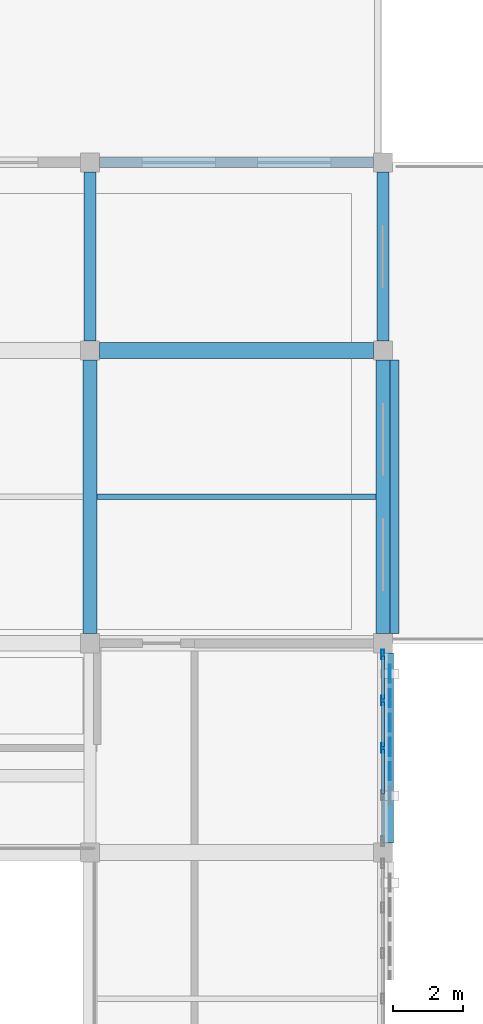
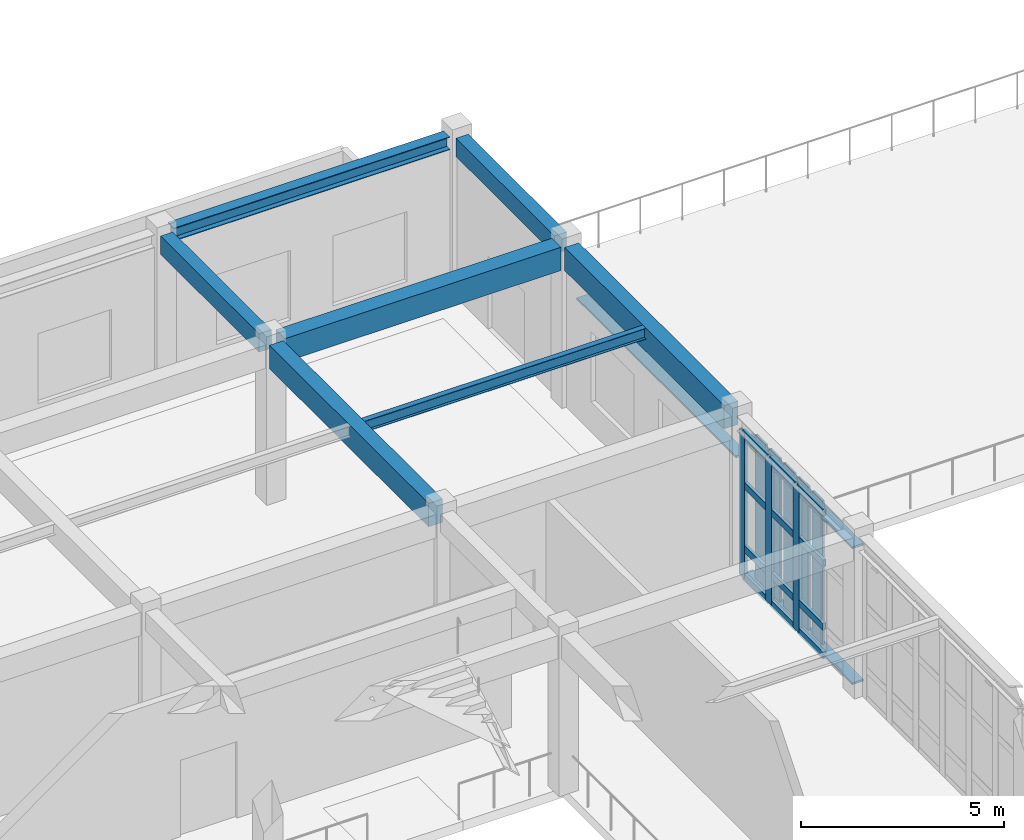
# One storey, part 39 of 93: 23 members, 7 beams, 1 element without a shape of its own.
"""IFC4 building model written with IfcOpenShell, lengths in metres."""

from ifc_helpers import new_model, si_unit, direction, frame, origin, origin_2d, place, context, subcontext, project, spatial, rectangle, hollow_rectangle, i_section, extrude, material, layer, layer_set, material_profile, profile_set, type_object, element, aggregate, save


model = new_model("IFC4")

# Units and contexts
model_context = context("Model", 3, precision=1e-05, world=origin(), true_north=direction((0.0, 1.0)))
body_context = subcontext(model_context, "Body", "Model", "MODEL_VIEW")
ifc_project = project(units=[si_unit("LENGTHUNIT", "METRE"), si_unit("AREAUNIT", "SQUARE_METRE"), si_unit("VOLUMEUNIT", "CUBIC_METRE"), si_unit("PLANEANGLEUNIT", "RADIAN"), si_unit("MASSUNIT", "GRAM", prefix="KILO")], contexts=[model_context])

# Site, building, storey
site_placement = place(None, origin())
site = spatial("IfcSite", under=ifc_project, at=site_placement, CompositionType="ELEMENT")
building_placement = place(site_placement, origin())
building = spatial("IfcBuilding", under=site, at=building_placement, Name="Krzemoval Escarpment Law Courts", CompositionType="ELEMENT")
storey_placement = place(building_placement, frame((0.0, 0.0, 10.199951171875)))
storey = spatial("IfcBuildingStorey", under=building, at=storey_placement, Name="L02", CompositionType="ELEMENT", Elevation=10.199951171875)

# Beams
ifc_material_1 = material(Name="Concrete C40/50", Category="concrete")
ifc_material_profile_1 = material_profile(ifc_material_1, rectangle(XDim=0.35009765625, YDim=0.550048828125, at=origin_2d()), Name="RCB 350x550")
ifc_profile_set_1 = profile_set([ifc_material_profile_1], Name="Concrete C40/50")
beam_type_1 = type_object("IfcBeamType", Name="BM-RC-350x550", PredefinedType="BEAM", material=ifc_profile_set_1)
for number, where, z_axis, x_axis, name in (
    (1, (33.60009765625, 108.27490234375, 4.545166015625), (0.0, 1.0, 0.0), (-1.0, 0.0, 0.0), "Beam FG-L02-1904"),
    (2, (42.0, 108.27490234375, 4.545166015625), (0.0, 1.0, 0.0), (-1.0, 0.0, 0.0), "Beam FG-L02-1919"),
):
    element("IfcBeam", number, at=place(storey_placement, frame(where, z_axis=z_axis, x_axis=x_axis)), inside=storey, type_object=beam_type_1, Name=name, PredefinedType="BEAM", context=body_context, shape_type="SweptSolid", body=[
        extrude(rectangle(XDim=0.35009765625, YDim=0.550048828125, at=origin_2d()), origin(), (0.0, 0.0, 1.0), 4.85009765625),
    ])
ifc_material_2 = material(Name="Concrete C40/50", Category="concrete")
ifc_material_profile_2 = material_profile(ifc_material_2, rectangle(XDim=0.39990234375, YDim=0.699951171875, at=origin_2d()), Name="RCB 400x700")
ifc_profile_set_2 = profile_set([ifc_material_profile_2], Name="Concrete C40/50")
beam_type_2 = type_object("IfcBeamType", Name="BM-RC-400x700", PredefinedType="BEAM", material=ifc_profile_set_2)
for number, where, z_axis, x_axis, name in (
    (3, (33.60009765625, 99.875, 4.469970703125), (0.0, 1.0, 0.0), (-1.0, 0.0, 0.0), "Beam FG-L02-1903"),
    (4, (42.0, 99.875, 4.469970703125), (0.0, 1.0, 0.0), (-1.0, 0.0, 0.0), "Beam FG-L02-1918"),
):
    element("IfcBeam", number, at=place(storey_placement, frame(where, z_axis=z_axis, x_axis=x_axis)), inside=storey, type_object=beam_type_2, Name=name, PredefinedType="BEAM", context=body_context, shape_type="SweptSolid", body=[
        extrude(rectangle(XDim=0.39990234375, YDim=0.699951171875, at=origin_2d()), origin(), (0.0, 0.0, 1.0), 7.85009765625),
    ])
ifc_material_3 = material(Name="Concrete C40/50", Category="concrete")
ifc_material_profile_3 = material_profile(ifc_material_3, rectangle(XDim=0.449951171875, YDim=0.699951171875, at=origin_2d()), Name="RCB 450x700")
ifc_profile_set_3 = profile_set([ifc_material_profile_3], Name="Concrete C40/50")
beam_type_3 = type_object("IfcBeamType", Name="BM-RC-450x700", PredefinedType="BEAM", material=ifc_profile_set_3)
beam_1_placement = place(storey_placement, frame((33.875, 108.0, 4.469970703125), z_axis=(1.0, 0.0, 0.0), x_axis=(0.0, 1.0, 0.0)))
element("IfcBeam", 5, at=beam_1_placement, inside=storey, type_object=beam_type_3, Name="Beam FG-L02-1830", PredefinedType="BEAM", context=body_context, shape_type="SweptSolid", body=[
    extrude(rectangle(XDim=0.449951171875, YDim=0.699951171875, at=origin_2d()), origin(), (0.0, 0.0, 1.0), 7.85009765625),
])

# Curtain wall, members
ifc_material_4 = material(Name="Aluminium 6063-T6", Category="aluminium")
ifc_layer = layer(ifc_material_4, 0.280029296875)
ifc_layer_set = layer_set([ifc_layer], Name="Aluminium 6063-T6")
curtain_wall_type = type_object("IfcCurtainWallType", Name="CW-HALL-5100", PredefinedType="USERDEFINED", material=ifc_layer_set)
curtain_wall_placement = place(storey_placement, origin())
curtain_wall = element("IfcCurtainWall", 6, at=curtain_wall_placement, inside=storey, type_object=curtain_wall_type, Name="Unitised Curtain Wall FCW-L02-073", ObjectType="UNITISED_CURTAIN_WALL", PredefinedType="USERDEFINED")
ifc_material_5 = material(Name="Aluminium 6063-T6", Category="aluminium")
ifc_material_profile_4 = material_profile(ifc_material_5, hollow_rectangle(XDim=0.0849609375, YDim=0.280029296875, WallThickness=0.005615234375, at=origin_2d()), Name="ALU M85x280")
ifc_profile_set_4 = profile_set([ifc_material_profile_4], Name="Aluminium 6063-T6")
member_type_1 = type_object("IfcMemberType", Name="CWM-85x280", PredefinedType="MULLION", material=ifc_profile_set_4)
member_1_placement = place(storey_placement, frame((42.0, 99.282470703125, 0.0), z_axis=(0.0, 0.0, 1.0), x_axis=(1.0, 0.0, 0.0)))
member_1 = element("IfcMember", 7, at=member_1_placement, type_object=member_type_1, Name="FCW-L02-073 mullion 1", PredefinedType="MULLION", context=body_context, shape_type="SweptSolid", body=[
    extrude(hollow_rectangle(XDim=0.0849609375, YDim=0.280029296875, WallThickness=0.005615234375, at=origin_2d()), origin(), (0.0, 0.0, 1.0), 4.3701171875),
])
member_2_placement = place(storey_placement, frame((42.0, 97.96240234375, 0.0), z_axis=(0.0, 0.0, 1.0), x_axis=(1.0, 0.0, 0.0)))
member_2 = element("IfcMember", 8, at=member_2_placement, type_object=member_type_1, Name="FCW-L02-073 mullion 2", PredefinedType="MULLION", context=body_context, shape_type="SweptSolid", body=[
    extrude(hollow_rectangle(XDim=0.0849609375, YDim=0.280029296875, WallThickness=0.005615234375, at=origin_2d()), origin(), (0.0, 0.0, 1.0), 4.3701171875),
])
member_3_placement = place(storey_placement, frame((42.0, 96.60009765625, 0.0), z_axis=(0.0, 0.0, 1.0), x_axis=(1.0, 0.0, 0.0)))
member_3 = element("IfcMember", 9, at=member_3_placement, type_object=member_type_1, Name="FCW-L02-073 mullion 3", PredefinedType="MULLION", context=body_context, shape_type="SweptSolid", body=[
    extrude(hollow_rectangle(XDim=0.0849609375, YDim=0.280029296875, WallThickness=0.005615234375, at=origin_2d()), origin(), (0.0, 0.0, 1.0), 4.3701171875),
])
ifc_material_6 = material(Name="Aluminium 6063-T6", Category="aluminium")
ifc_material_profile_5 = material_profile(ifc_material_6, hollow_rectangle(XDim=0.0849609375, YDim=0.2099609375, WallThickness=0.005615234375, at=origin_2d()), Name="ALU T85x210")
ifc_profile_set_5 = profile_set([ifc_material_profile_5], Name="Aluminium 6063-T6")
member_type_2 = type_object("IfcMemberType", Name="CWT-85x210", PredefinedType="USERDEFINED", material=ifc_profile_set_5)
member_4_placement = place(storey_placement, frame((42.0, 99.239990234375, 0.04248046875), z_axis=(0.0, -1.0, 0.0), x_axis=(1.0, 0.0, 0.0)))
member_4 = element("IfcMember", 10, at=member_4_placement, type_object=member_type_2, Name="FCW-L02-073 transom 1.1", ObjectType="TRANSOM", PredefinedType="USERDEFINED", context=body_context, shape_type="SweptSolid", body=[
    extrude(hollow_rectangle(XDim=0.0849609375, YDim=0.2099609375, WallThickness=0.005615234375, at=origin_2d()), origin(), (0.0, 0.0, 1.0), 1.235107421875),
])
member_5_placement = place(storey_placement, frame((42.0, 99.239990234375, 0.900146484375), z_axis=(0.0, -1.0, 0.0), x_axis=(1.0, 0.0, 0.0)))
member_5 = element("IfcMember", 11, at=member_5_placement, type_object=member_type_2, Name="FCW-L02-073 transom 1.2", ObjectType="TRANSOM", PredefinedType="USERDEFINED", context=body_context, shape_type="SweptSolid", body=[
    extrude(hollow_rectangle(XDim=0.0849609375, YDim=0.2099609375, WallThickness=0.005615234375, at=origin_2d()), origin(), (0.0, 0.0, 1.0), 1.235107421875),
])
member_6_placement = place(storey_placement, frame((42.0, 99.239990234375, 2.800048828125), z_axis=(0.0, -1.0, 0.0), x_axis=(1.0, 0.0, 0.0)))
member_6 = element("IfcMember", 12, at=member_6_placement, type_object=member_type_2, Name="FCW-L02-073 transom 1.3", ObjectType="TRANSOM", PredefinedType="USERDEFINED", context=body_context, shape_type="SweptSolid", body=[
    extrude(hollow_rectangle(XDim=0.0849609375, YDim=0.2099609375, WallThickness=0.005615234375, at=origin_2d()), origin(), (0.0, 0.0, 1.0), 1.235107421875),
])
member_7_placement = place(storey_placement, frame((42.0, 99.239990234375, 4.32763671875), z_axis=(0.0, -1.0, 0.0), x_axis=(1.0, 0.0, 0.0)))
member_7 = element("IfcMember", 13, at=member_7_placement, type_object=member_type_2, Name="FCW-L02-073 transom 1.4", ObjectType="TRANSOM", PredefinedType="USERDEFINED", context=body_context, shape_type="SweptSolid", body=[
    extrude(hollow_rectangle(XDim=0.0849609375, YDim=0.2099609375, WallThickness=0.005615234375, at=origin_2d()), origin(), (0.0, 0.0, 1.0), 1.235107421875),
])
member_8_placement = place(storey_placement, frame((42.0, 97.919921875, 0.04248046875), z_axis=(0.0, -1.0, 0.0), x_axis=(1.0, 0.0, 0.0)))
member_8 = element("IfcMember", 14, at=member_8_placement, type_object=member_type_2, Name="FCW-L02-073 transom 2.1", ObjectType="TRANSOM", PredefinedType="USERDEFINED", context=body_context, shape_type="SweptSolid", body=[
    extrude(hollow_rectangle(XDim=0.0849609375, YDim=0.2099609375, WallThickness=0.005615234375, at=origin_2d()), origin(), (0.0, 0.0, 1.0), 1.27734375),
])
member_9_placement = place(storey_placement, frame((42.0, 97.919921875, 0.900146484375), z_axis=(0.0, -1.0, 0.0), x_axis=(1.0, 0.0, 0.0)))
member_9 = element("IfcMember", 15, at=member_9_placement, type_object=member_type_2, Name="FCW-L02-073 transom 2.2", ObjectType="TRANSOM", PredefinedType="USERDEFINED", context=body_context, shape_type="SweptSolid", body=[
    extrude(hollow_rectangle(XDim=0.0849609375, YDim=0.2099609375, WallThickness=0.005615234375, at=origin_2d()), origin(), (0.0, 0.0, 1.0), 1.27734375),
])
member_10_placement = place(storey_placement, frame((42.0, 97.919921875, 2.800048828125), z_axis=(0.0, -1.0, 0.0), x_axis=(1.0, 0.0, 0.0)))
member_10 = element("IfcMember", 16, at=member_10_placement, type_object=member_type_2, Name="FCW-L02-073 transom 2.3", ObjectType="TRANSOM", PredefinedType="USERDEFINED", context=body_context, shape_type="SweptSolid", body=[
    extrude(hollow_rectangle(XDim=0.0849609375, YDim=0.2099609375, WallThickness=0.005615234375, at=origin_2d()), origin(), (0.0, 0.0, 1.0), 1.27734375),
])
member_11_placement = place(storey_placement, frame((42.0, 97.919921875, 4.32763671875), z_axis=(0.0, -1.0, 0.0), x_axis=(1.0, 0.0, 0.0)))
member_11 = element("IfcMember", 17, at=member_11_placement, type_object=member_type_2, Name="FCW-L02-073 transom 2.4", ObjectType="TRANSOM", PredefinedType="USERDEFINED", context=body_context, shape_type="SweptSolid", body=[
    extrude(hollow_rectangle(XDim=0.0849609375, YDim=0.2099609375, WallThickness=0.005615234375, at=origin_2d()), origin(), (0.0, 0.0, 1.0), 1.27734375),
])
member_12_placement = place(storey_placement, frame((42.0, 96.5576171875, 0.04248046875), z_axis=(0.0, -1.0, 0.0), x_axis=(1.0, 0.0, 0.0)))
member_12 = element("IfcMember", 18, at=member_12_placement, type_object=member_type_2, Name="FCW-L02-073 transom 3.1", ObjectType="TRANSOM", PredefinedType="USERDEFINED", context=body_context, shape_type="SweptSolid", body=[
    extrude(hollow_rectangle(XDim=0.0849609375, YDim=0.2099609375, WallThickness=0.005615234375, at=origin_2d()), origin(), (0.0, 0.0, 1.0), 1.277587890625),
])
member_13_placement = place(storey_placement, frame((42.0, 96.5576171875, 0.900146484375), z_axis=(0.0, -1.0, 0.0), x_axis=(1.0, 0.0, 0.0)))
member_13 = element("IfcMember", 19, at=member_13_placement, type_object=member_type_2, Name="FCW-L02-073 transom 3.2", ObjectType="TRANSOM", PredefinedType="USERDEFINED", context=body_context, shape_type="SweptSolid", body=[
    extrude(hollow_rectangle(XDim=0.0849609375, YDim=0.2099609375, WallThickness=0.005615234375, at=origin_2d()), origin(), (0.0, 0.0, 1.0), 1.277587890625),
])
member_14_placement = place(storey_placement, frame((42.0, 96.5576171875, 2.800048828125), z_axis=(0.0, -1.0, 0.0), x_axis=(1.0, 0.0, 0.0)))
member_14 = element("IfcMember", 20, at=member_14_placement, type_object=member_type_2, Name="FCW-L02-073 transom 3.3", ObjectType="TRANSOM", PredefinedType="USERDEFINED", context=body_context, shape_type="SweptSolid", body=[
    extrude(hollow_rectangle(XDim=0.0849609375, YDim=0.2099609375, WallThickness=0.005615234375, at=origin_2d()), origin(), (0.0, 0.0, 1.0), 1.277587890625),
])
member_15_placement = place(storey_placement, frame((42.0, 96.5576171875, 4.32763671875), z_axis=(0.0, -1.0, 0.0), x_axis=(1.0, 0.0, 0.0)))
member_15 = element("IfcMember", 21, at=member_15_placement, type_object=member_type_2, Name="FCW-L02-073 transom 3.4", ObjectType="TRANSOM", PredefinedType="USERDEFINED", context=body_context, shape_type="SweptSolid", body=[
    extrude(hollow_rectangle(XDim=0.0849609375, YDim=0.2099609375, WallThickness=0.005615234375, at=origin_2d()), origin(), (0.0, 0.0, 1.0), 1.277587890625),
])
aggregate(curtain_wall, [member_1, member_2, member_3, member_4, member_5, member_6, member_7, member_8, member_9, member_10, member_11, member_12, member_13, member_14, member_15])

# Beam
ifc_material_7 = material(Name="Steel S355", Category="steel")
ifc_material_profile_6 = material_profile(ifc_material_7, i_section(OverallWidth=0.159912109375, OverallDepth=0.330078125, WebThickness=0.007568359375, FlangeThickness=0.011474609375, at=origin_2d()), Name="IPE 330")
ifc_profile_set_6 = profile_set([ifc_material_profile_6], Name="Steel S355")
beam_type_4 = type_object("IfcBeamType", Name="JST-S355-IPE330", PredefinedType="JOIST", material=ifc_profile_set_6)
beam_2_placement = place(storey_placement, frame((33.800048828125, 103.800048828125, 4.655029296875), z_axis=(1.0, 0.0, 0.0), x_axis=(0.0, 1.0, 0.0)))
element("IfcBeam", 22, at=beam_2_placement, inside=storey, type_object=beam_type_4, Name="Secondary Joist FJ-L02-2030", PredefinedType="JOIST", context=body_context, shape_type="SweptSolid", body=[
    extrude(i_section(OverallWidth=0.159912109375, OverallDepth=0.330078125, WebThickness=0.007568359375, FlangeThickness=0.011474609375, at=origin_2d()), origin(), (0.0, 0.0, 1.0), 8.0),
])

# Members
ifc_material_8 = material(Name="Anodised Aluminium Alloy 6063-T6", Category="aluminium")
ifc_material_profile_7 = material_profile(ifc_material_8, hollow_rectangle(XDim=0.06005859375, YDim=0.320068359375, WallThickness=0.00390625, at=origin_2d()), Name="ALU LVR 60x320")
ifc_profile_set_7 = profile_set([ifc_material_profile_7], Name="Anodised Aluminium Alloy 6063-T6")
member_type_3 = type_object("IfcMemberType", Name="LVR-ALU-320", PredefinedType="USERDEFINED", material=ifc_profile_set_7)
member_16_placement = place(storey_placement, frame((42.300048828125, 107.72509765625, 3.16015625), z_axis=(0.0, -1.0, 0.0), x_axis=(0.0, 0.0, 1.0)))
element("IfcMember", 23, at=member_16_placement, inside=storey, type_object=member_type_3, Name="Window Sunshade Louvre FLV-L02-0451", ObjectType="SUNSHADE_LOUVRE", PredefinedType="USERDEFINED", context=body_context, shape_type="SweptSolid", body=[
    extrude(hollow_rectangle(XDim=0.06005859375, YDim=0.320068359375, WallThickness=0.00390625, at=origin_2d()), origin(), (0.0, 0.0, 1.0), 7.85009765625),
])
for number, where, z_axis, x_axis, name in (
    (24, (42.139892578125, 99.324951171875, 0.030029296875), (0.0, -1.0, 0.0), (0.0, 0.0, 1.0), "Sunshade Support Rail FSR-L02-0452"),
    (25, (42.139892578125, 99.324951171875, 4.1201171875), (0.0, -1.0, 0.0), (0.0, 0.0, 1.0), "Sunshade Support Rail FSR-L02-0453"),
):
    element("IfcMember", number, at=place(storey_placement, frame(where, z_axis=z_axis, x_axis=x_axis)), inside=storey, type_object=member_type_3, Name=name, ObjectType="SUNSHADE_LOUVRE", PredefinedType="USERDEFINED", context=body_context, shape_type="SweptSolid", body=[
        extrude(hollow_rectangle(XDim=0.06005859375, YDim=0.320068359375, WallThickness=0.00390625, at=origin_2d()), origin(), (0.0, 0.0, 1.0), 5.449951171875),
    ])
ifc_material_9 = material(Name="Anodised Aluminium Alloy 6063-T6", Category="aluminium")
ifc_material_profile_8 = material_profile(ifc_material_9, hollow_rectangle(XDim=0.06494140625, YDim=0.52001953125, WallThickness=0.00439453125, at=origin_2d()), Name="ALU LVR 65x520")
ifc_profile_set_8 = profile_set([ifc_material_profile_8], Name="Anodised Aluminium Alloy 6063-T6")
member_type_4 = type_object("IfcMemberType", Name="LVR-ALU-520", PredefinedType="USERDEFINED", material=ifc_profile_set_8)
for number, where, z_axis, x_axis, name in (
    (26, (42.199951171875, 98.72509765625, 0.06005859375), (0.0, 0.0, 1.0), (1.0, 0.0, 0.0), "Sunshade Louvre Fin FLV-L02-0454"),
    (27, (42.199951171875, 98.02490234375, 0.06005859375), (0.0, 0.0, 1.0), (1.0, 0.0, 0.0), "Sunshade Louvre Fin FLV-L02-0455"),
    (28, (42.199951171875, 97.324951171875, 0.06005859375), (0.0, 0.0, 1.0), (1.0, 0.0, 0.0), "Sunshade Louvre Fin FLV-L02-0456"),
    (29, (42.199951171875, 96.625, 0.06005859375), (0.0, 0.0, 1.0), (1.0, 0.0, 0.0), "Sunshade Louvre Fin FLV-L02-0457"),
    (30, (42.199951171875, 95.925048828125, 0.06005859375), (0.0, 0.0, 1.0), (1.0, 0.0, 0.0), "Sunshade Louvre Fin FLV-L02-0458"),
):
    element("IfcMember", number, at=place(storey_placement, frame(where, z_axis=z_axis, x_axis=x_axis)), inside=storey, type_object=member_type_4, Name=name, ObjectType="SUNSHADE_LOUVRE", PredefinedType="USERDEFINED", context=body_context, shape_type="SweptSolid", body=[
        extrude(hollow_rectangle(XDim=0.06494140625, YDim=0.52001953125, WallThickness=0.00439453125, at=origin_2d()), origin(), (0.0, 0.0, 1.0), 4.31005859375),
    ])

# Beam
ifc_material_10 = material(Name="Steel S355", Category="steel")
ifc_material_profile_9 = material_profile(ifc_material_10, i_section(OverallWidth=0.300048828125, OverallDepth=0.389892578125, WebThickness=0.010986328125, FlangeThickness=0.01904296875, at=origin_2d()), Name="HEA 400")
ifc_profile_set_9 = profile_set([ifc_material_profile_9], Name="Steel S355")
beam_type_5 = type_object("IfcBeamType", Name="SPN-S355-HEA400", PredefinedType="SPANDREL", material=ifc_profile_set_9)
beam_3_placement = place(storey_placement, frame((33.875, 113.39990234375, 4.625), z_axis=(1.0, 0.0, 0.0), x_axis=(0.0, 1.0, 0.0)))
element("IfcBeam", 31, at=beam_3_placement, inside=storey, type_object=beam_type_5, Name="Beam FG-L02-1838", PredefinedType="SPANDREL", context=body_context, shape_type="SweptSolid", body=[
    extrude(i_section(OverallWidth=0.300048828125, OverallDepth=0.389892578125, WebThickness=0.010986328125, FlangeThickness=0.01904296875, at=origin_2d()), origin(), (0.0, 0.0, 1.0), 7.85009765625),
])

save(model, "model.ifc")
